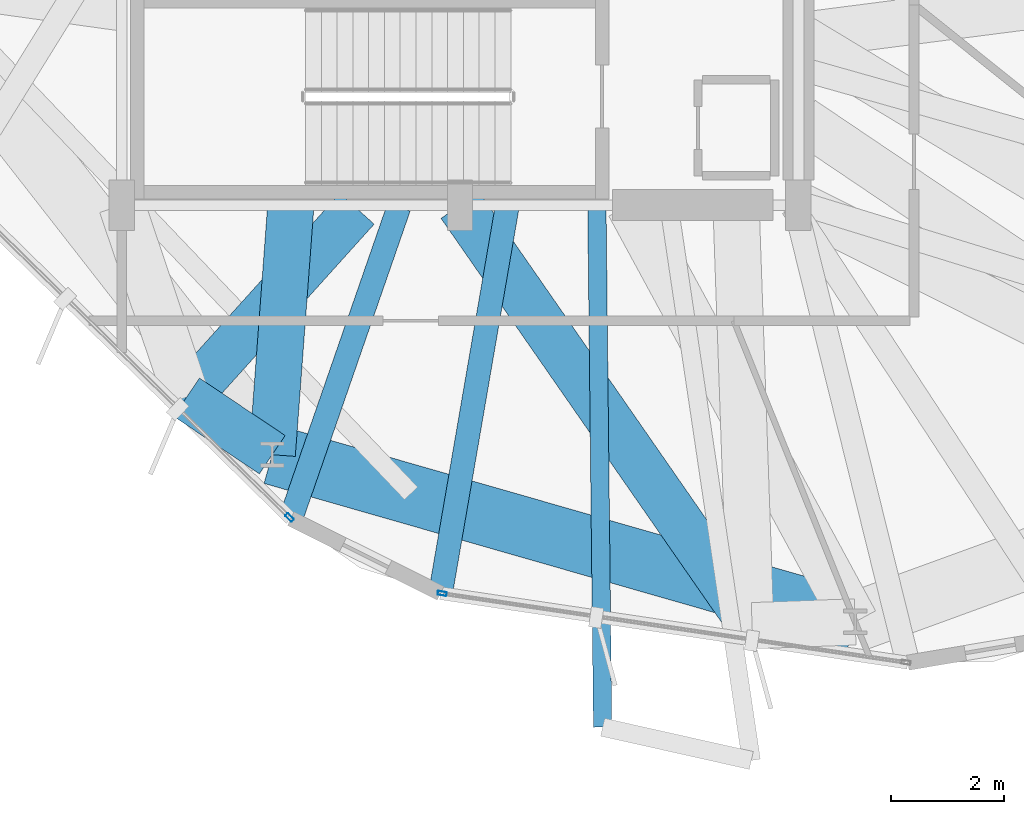
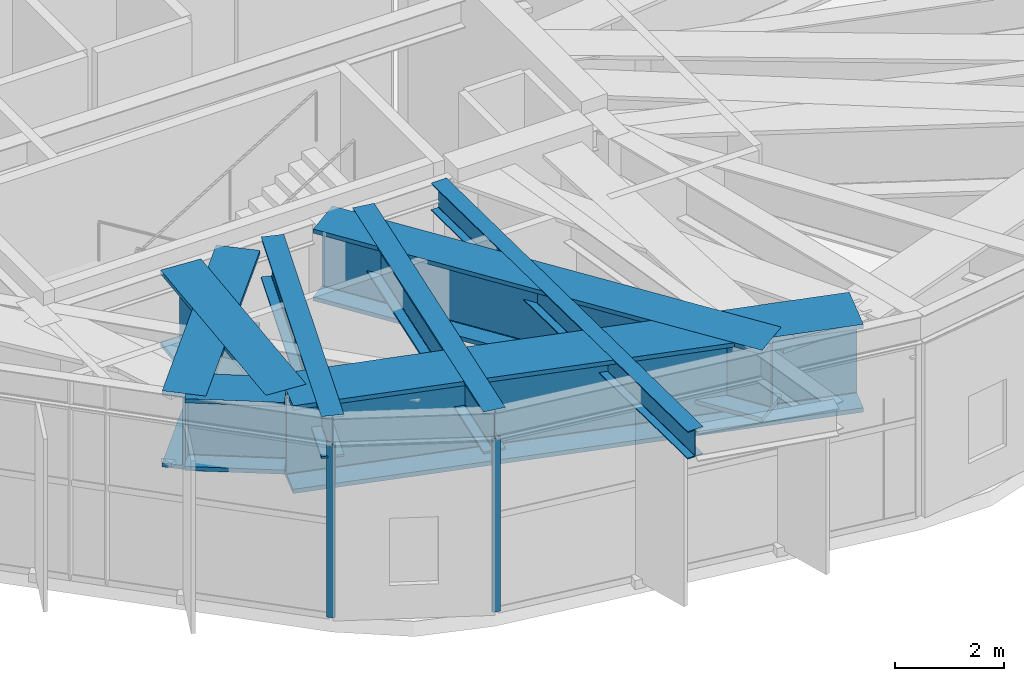
# One storey, part 2 of 27: 8 beams, 2 members, 2 elements without a shape of their own.
"""IFC4 building model written with IfcOpenShell, lengths in metres."""

from ifc_helpers import new_model, si_unit, direction, frame, origin, origin_2d, place, context, subcontext, project, spatial, hollow_rectangle, i_section, extrude, material, layer, layer_set, material_profile, profile_set, type_object, element, aggregate, save


model = new_model("IFC4")

# Units and contexts
model_context = context("Model", 3, precision=1e-05, world=origin(), true_north=direction((0.0, 1.0)))
body_context = subcontext(model_context, "Body", "Model", "MODEL_VIEW")
ifc_project = project(units=[si_unit("LENGTHUNIT", "METRE"), si_unit("AREAUNIT", "SQUARE_METRE"), si_unit("VOLUMEUNIT", "CUBIC_METRE"), si_unit("PLANEANGLEUNIT", "RADIAN"), si_unit("MASSUNIT", "GRAM", prefix="KILO")], contexts=[model_context])

# Site, building, storey
site_placement = place(None, origin())
site = spatial("IfcSite", under=ifc_project, at=site_placement, CompositionType="ELEMENT")
building_placement = place(site_placement, origin())
building = spatial("IfcBuilding", under=site, at=building_placement, Name="Soratama Intermodal Tower", CompositionType="ELEMENT")
storey_placement = place(building_placement, frame((0.0, 0.0, 134.199951171875)))
storey = spatial("IfcBuildingStorey", under=building, at=storey_placement, Name="L32", CompositionType="ELEMENT", Elevation=134.199951171875)

# Beams
ifc_material_1 = material(Name="Structural steel ASTM A992 Grade 50", Category="steel")
ifc_material_profile_1 = material_profile(ifc_material_1, i_section(OverallWidth=0.324951171875, OverallDepth=0.615966796875, WebThickness=0.013916015625, FlangeThickness=0.021484375, FilletRadius=0.013916015625, at=origin_2d()), Name="W24X117")
ifc_profile_set_1 = profile_set([ifc_material_profile_1], Name="Structural steel ASTM A992 Grade 50")
beam_type_1 = type_object("IfcBeamType", Name="BM-CANT-W24X117", PredefinedType="BEAM", material=ifc_profile_set_1)
beam_1_placement = place(storey_placement, frame((41.027099609375, 14.9599609375, 4.192138671875), z_axis=(0.010940032437, -0.999940156054, 0.0), x_axis=(0.999940156054, 0.010940032437, 0.0)))
element("IfcBeam", 1, at=beam_1_placement, inside=storey, type_object=beam_type_1, Name="BM-L32-CANT-4-1", PredefinedType="BEAM", context=body_context, shape_type="SweptSolid", body=[
    extrude(i_section(OverallWidth=0.324951171875, OverallDepth=0.615966796875, WebThickness=0.013916015625, FlangeThickness=0.021484375, FilletRadius=0.013916015625, at=origin_2d()), origin(), (0.0, 0.0, 1.0), 9.216552734375),
])
ifc_material_2 = material(Name="Structural steel ASTM A992 Grade 50", Category="steel")
ifc_material_profile_2 = material_profile(ifc_material_2, i_section(OverallWidth=0.423095703125, OverallDepth=0.93896484375, WebThickness=0.02392578125, FlangeThickness=0.042724609375, FilletRadius=0.02392578125, at=origin_2d()), Name="W36X302")
ifc_profile_set_2 = profile_set([ifc_material_profile_2], Name="Structural steel ASTM A992 Grade 50")
beam_type_2 = type_object("IfcBeamType", Name="BM-POD-W36X302", PredefinedType="BEAM", material=ifc_profile_set_2)
beam_2_placement = place(storey_placement, frame((37.514892578125, 14.9619140625, 4.030517578125), z_axis=(-0.327822165939, -0.944739449541, 0.0), x_axis=(0.944739449541, -0.327822165939, 0.0)))
element("IfcBeam", 2, at=beam_2_placement, inside=storey, type_object=beam_type_2, Name="BM-L32-TIE1-06", PredefinedType="BEAM", context=body_context, shape_type="SweptSolid", body=[
    extrude(i_section(OverallWidth=0.423095703125, OverallDepth=0.93896484375, WebThickness=0.02392578125, FlangeThickness=0.042724609375, FilletRadius=0.02392578125, at=origin_2d()), origin(), (0.0, 0.0, 1.0), 5.843994140625),
])
beam_3_placement = place(storey_placement, frame((39.43408203125, 14.9609375, 4.030517578125), z_axis=(-0.169842151025, -0.985471280015, 0.0), x_axis=(0.985471280015, -0.169842151025, 0.0)))
element("IfcBeam", 3, at=beam_3_placement, inside=storey, type_object=beam_type_2, Name="BM-L32-TIE0-07", PredefinedType="BEAM", context=body_context, shape_type="SweptSolid", body=[
    extrude(i_section(OverallWidth=0.423095703125, OverallDepth=0.93896484375, WebThickness=0.02392578125, FlangeThickness=0.042724609375, FilletRadius=0.02392578125, at=origin_2d()), origin(), (0.0, 0.0, 1.0), 6.94287109375),
])
ifc_material_3 = material(Name="Structural steel ASTM A992 Grade 50", Category="steel")
ifc_material_profile_3 = material_profile(ifc_material_3, i_section(OverallWidth=0.820068359375, OverallDepth=1.699951171875, WebThickness=0.053955078125, FlangeThickness=0.087890625, FilletRadius=0.02392578125, at=origin_2d()), Name="PG1580X800")
ifc_profile_set_3 = profile_set([ifc_material_profile_3], Name="Structural steel ASTM A992 Grade 50")
beam_type_3 = type_object("IfcBeamType", Name="BM-ZSTEP-PG1580", PredefinedType="BEAM", material=ifc_profile_set_3)
beam_4_placement = place(storey_placement, frame((36.77294921875, 14.93701171875, 3.650146484375), z_axis=(-0.669075475855, -0.743194461503, 0.0), x_axis=(0.743194461503, -0.669075475855, 0.0)))
element("IfcBeam", 4, at=beam_4_placement, inside=storey, type_object=beam_type_3, Name="BM-L32-ZCHORD-07", PredefinedType="BEAM", context=body_context, shape_type="SweptSolid", body=[
    extrude(i_section(OverallWidth=0.820068359375, OverallDepth=1.699951171875, WebThickness=0.053955078125, FlangeThickness=0.087890625, FilletRadius=0.02392578125, at=origin_2d()), origin(), (0.0, 0.0, 1.0), 4.749755859375),
])
beam_5_placement = place(storey_placement, frame((35.60009765625, 15.0, 3.650146484375), z_axis=(-0.074386442563, -0.997229490721, 0.0), x_axis=(0.997229490721, -0.074386442563, 0.0)))
element("IfcBeam", 5, at=beam_5_placement, inside=storey, type_object=beam_type_3, Name="BM-L32-RAD-07", PredefinedType="BEAM", context=body_context, shape_type="SweptSolid", body=[
    extrude(i_section(OverallWidth=0.820068359375, OverallDepth=1.699951171875, WebThickness=0.053955078125, FlangeThickness=0.087890625, FilletRadius=0.02392578125, at=origin_2d()), origin(), (0.0, 0.0, 1.0), 4.437255859375),
])
ifc_material_4 = material(Name="Structural steel ASTM A992 Grade 50", Category="steel")
ifc_material_profile_4 = material_profile(ifc_material_4, i_section(OverallWidth=0.820068359375, OverallDepth=1.60205078125, WebThickness=0.055908203125, FlangeThickness=0.092041015625, FilletRadius=0.02392578125, at=origin_2d()), Name="PG1600X650")
ifc_profile_set_4 = profile_set([ifc_material_profile_4], Name="Structural steel ASTM A992 Grade 50")
beam_type_4 = type_object("IfcBeamType", Name="BM-ZSTEP-PG1600", PredefinedType="BEAM", material=ifc_profile_set_4)
beam_6_placement = place(storey_placement, frame((35.27001953125, 10.574951171875, 3.698974609375), z_axis=(-0.830445195866, 0.557100329082, 0.0), x_axis=(-0.557100329082, -0.830445195866, 0.0)))
element("IfcBeam", 6, at=beam_6_placement, inside=storey, type_object=beam_type_4, Name="BM-L32-ZSTEP-A07", PredefinedType="BEAM", context=body_context, shape_type="SweptSolid", body=[
    extrude(i_section(OverallWidth=0.820068359375, OverallDepth=1.60205078125, WebThickness=0.055908203125, FlangeThickness=0.092041015625, FilletRadius=0.02392578125, at=origin_2d()), origin(), (0.0, 0.0, 1.0), 1.8291015625),
])
beam_7_placement = place(storey_placement, frame((43.779052734375, 7.54296875, 3.698974609375), z_axis=(-0.570430076653, 0.821346167977, 0.0), x_axis=(-0.821346167977, -0.570430076653, 0.0)))
element("IfcBeam", 7, at=beam_7_placement, inside=storey, type_object=beam_type_4, Name="BM-L32-ZSTEP-B08", PredefinedType="BEAM", context=body_context, shape_type="SweptSolid", body=[
    extrude(i_section(OverallWidth=0.820068359375, OverallDepth=1.60205078125, WebThickness=0.055908203125, FlangeThickness=0.092041015625, FilletRadius=0.02392578125, at=origin_2d()), origin(), (0.0, 0.0, 1.0), 9.0791015625),
])
ifc_material_5 = material(Name="Structural steel ASTM A992 Grade 50", Category="steel")
ifc_material_profile_5 = material_profile(ifc_material_5, i_section(OverallWidth=1.06005859375, OverallDepth=1.9599609375, WebThickness=0.05810546875, FlangeThickness=0.095947265625, FilletRadius=0.02392578125, at=origin_2d()), Name="PG2400X900")
ifc_profile_set_5 = profile_set([ifc_material_profile_5], Name="Structural steel ASTM A992 Grade 50")
beam_type_5 = type_object("IfcBeamType", Name="BM-ZSTEP-PG2400", PredefinedType="BEAM", material=ifc_profile_set_5)
beam_8_placement = place(storey_placement, frame((35.27001953125, 10.574951171875, 3.52001953125), z_axis=(0.961266505995, -0.275620580604, 0.0), x_axis=(0.275620580604, 0.961266505995, 0.0)))
element("IfcBeam", 8, at=beam_8_placement, inside=storey, type_object=beam_type_5, Name="BM-L32-RING-07", PredefinedType="BEAM", context=body_context, shape_type="SweptSolid", body=[
    extrude(i_section(OverallWidth=1.06005859375, OverallDepth=1.9599609375, WebThickness=0.05810546875, FlangeThickness=0.095947265625, FilletRadius=0.02392578125, at=origin_2d()), origin(), (0.0, 0.0, 1.0), 10.75341796875),
])

# Curtain wall, member
ifc_material_6 = material(Name="Double-glazed aluminium curtain wall", Category="aluminium")
ifc_layer = layer(ifc_material_6, 0.159912109375)
ifc_layer_set = layer_set([ifc_layer], Name="Double-glazed aluminium curtain wall")
curtain_wall_type = type_object("IfcCurtainWallType", Name="CW-SYS-3", PredefinedType="NOTDEFINED", material=ifc_layer_set)
curtain_wall_1_placement = place(storey_placement, origin())
curtain_wall_1 = element("IfcCurtainWall", 9, at=curtain_wall_1_placement, inside=storey, type_object=curtain_wall_type, Name="L32 Faceted Curtain Wall F06", PredefinedType="NOTDEFINED")
ifc_material_7 = material(Name="Anodised aluminium AA 6063-T6", Category="aluminium")
ifc_material_profile_6 = material_profile(ifc_material_7, hollow_rectangle(XDim=0.070068359375, YDim=0.159912109375, WallThickness=0.0048828125, InnerFilletRadius=0.0048828125, OuterFilletRadius=0.010009765625, at=origin_2d()), Name="CWM160X70X5")
ifc_profile_set_6 = profile_set([ifc_material_profile_6], Name="Anodised aluminium AA 6063-T6")
member_type = type_object("IfcMemberType", Name="MT-CWM-3", PredefinedType="MULLION", material=ifc_profile_set_6)
member_1_placement = place(storey_placement, frame((35.577880859375, 9.4619140625, 0.0), z_axis=(0.0, 0.0, 1.0), x_axis=(0.700413662344, 0.713737137609, 0.0)))
member_1 = element("IfcMember", 10, at=member_1_placement, type_object=member_type, Name="CW-3 mullion 2", PredefinedType="MULLION", context=body_context, shape_type="SweptSolid", body=[
    extrude(hollow_rectangle(XDim=0.070068359375, YDim=0.159912109375, WallThickness=0.0048828125, InnerFilletRadius=0.0048828125, OuterFilletRadius=0.010009765625, at=origin_2d()), origin(), (0.0, 0.0, 1.0), 3.879150390625),
])
aggregate(curtain_wall_1, [member_1])

curtain_wall_2_placement = place(storey_placement, origin())
curtain_wall_2 = element("IfcCurtainWall", 11, at=curtain_wall_2_placement, inside=storey, type_object=curtain_wall_type, Name="L32 Faceted Curtain Wall F07", PredefinedType="NOTDEFINED")
member_2_placement = place(storey_placement, frame((38.28466796875, 8.114501953125, 0.0), z_axis=(0.0, 0.0, 1.0), x_axis=(0.147120202345, 0.989118620825, 0.0)))
member_2 = element("IfcMember", 12, at=member_2_placement, type_object=member_type, Name="CW-3 mullion 1", PredefinedType="MULLION", context=body_context, shape_type="SweptSolid", body=[
    extrude(hollow_rectangle(XDim=0.070068359375, YDim=0.159912109375, WallThickness=0.0048828125, InnerFilletRadius=0.0048828125, OuterFilletRadius=0.010009765625, at=origin_2d()), origin(), (0.0, 0.0, 1.0), 3.879150390625),
])
aggregate(curtain_wall_2, [member_2])

save(model, "model.ifc")
